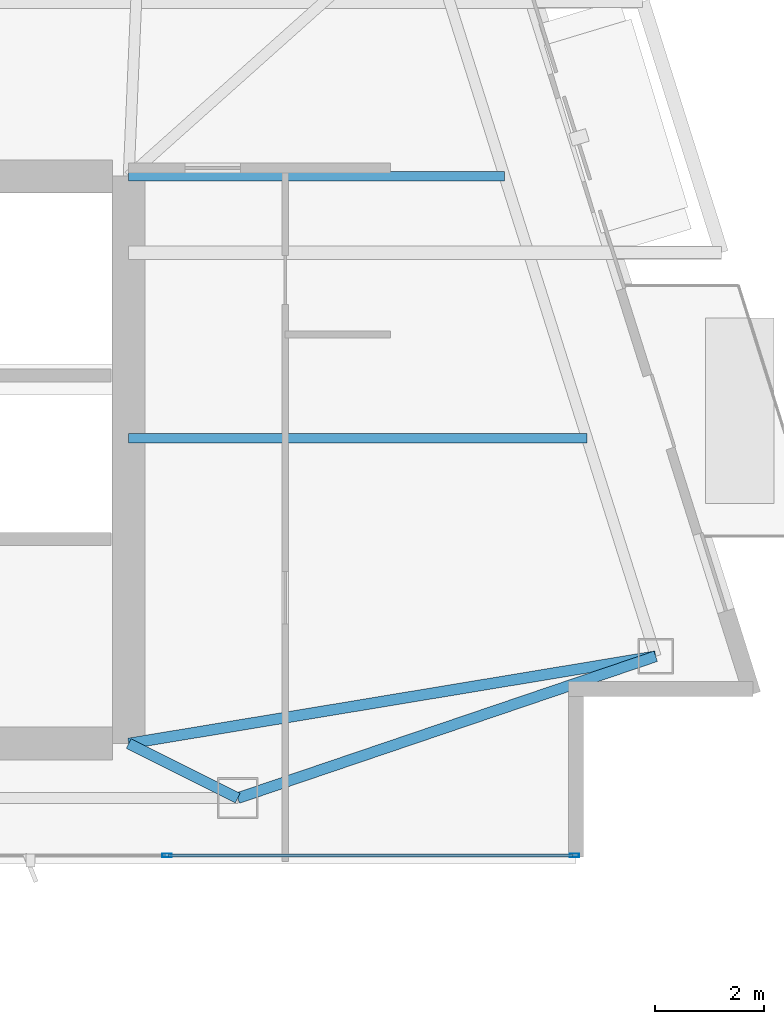
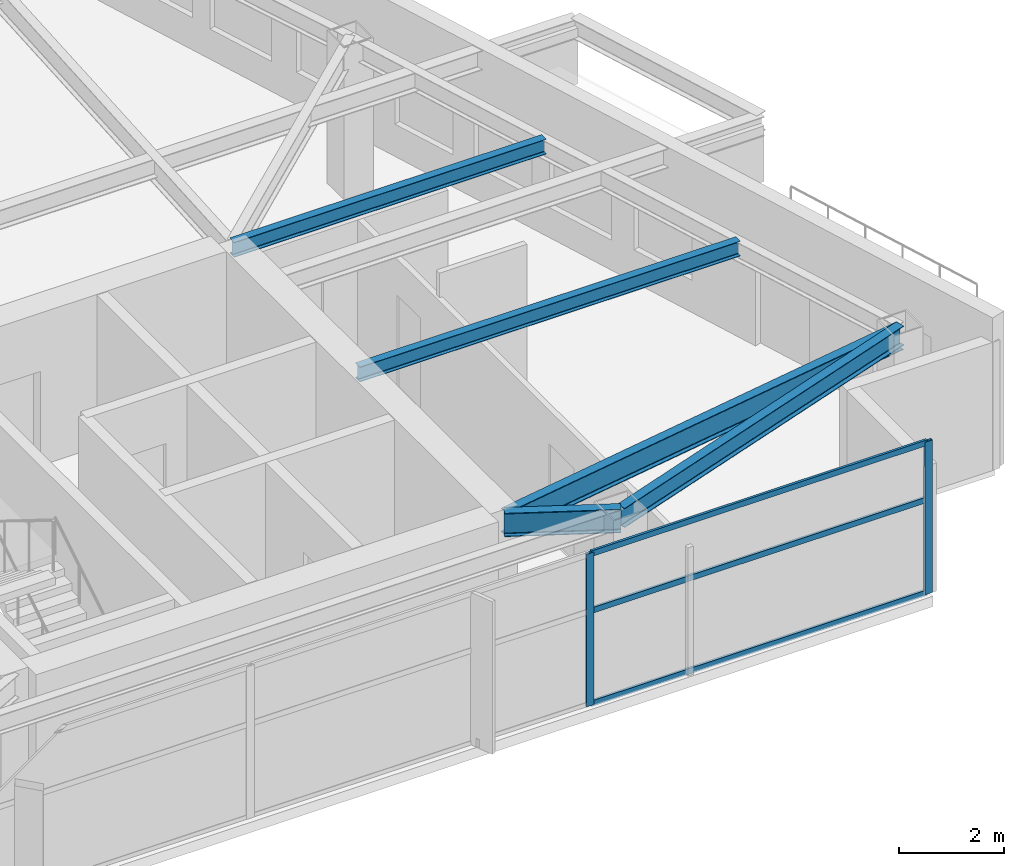
# One storey, part 14 of 28: 5 beams, 5 members, 1 element without a shape of its own.
"""IFC4 building model written with IfcOpenShell, lengths in metres."""

import ifcopenshell
import ifcopenshell.guid

model = None  # the IFC model being written
_history = None  # IfcOwnerHistory: only IFC2X3 demands one
_inside = {}  # id of a spatial element -> (the spatial element, [elements in it])
_under = {}  # id of a project, library or spatial element -> (it, [spatial elements below it])
_declared = {}  # id of a project -> (the project, [libraries it declares])
_typed = {}  # id of a type object -> (the type object, [elements of that type])
_made_of = {}  # id of a material, layer set ... -> (it, [elements and type objects made of it])


def new_model(schema):
    """Start an empty IFC model of exactly this schema.

    Asked for "IFC4X3", IfcOpenShell would pick the latest addendum, in which some entities
    have other attributes; the version numbers below select the first issue.
    IFC2X3 requires an IfcOwnerHistory on every rooted entity: one is made here for all.
    """
    global model, _history
    if schema == "IFC4X3":
        model = ifcopenshell.file(schema_version=(4, 3, 0, 0))
    else:
        model = ifcopenshell.file(schema=schema)
    _inside.clear()
    _under.clear()
    _declared.clear()
    _typed.clear()
    _made_of.clear()
    _history = None
    if model.schema == "IFC2X3":
        org = make("IfcOrganization", Name="unknown")
        user = make(
            "IfcPersonAndOrganization",
            ThePerson=make("IfcPerson", FamilyName="unknown"),
            TheOrganization=org,
        )
        app = make(
            "IfcApplication",
            ApplicationDeveloper=org,
            Version="unknown",
            ApplicationFullName="unknown",
            ApplicationIdentifier="unknown",
        )
        _history = make(
            "IfcOwnerHistory",
            OwningUser=user,
            OwningApplication=app,
            ChangeAction="ADDED",
            CreationDate=0,
        )
    return model


def make(cls, **values):
    """One entity of the class cls with the attributes given. An attribute that is None is left unset."""
    return model.create_entity(
        cls, **{name: value for name, value in values.items() if value is not None}
    )


def rooted(cls, **values):
    """An entity with a GlobalId (a new one), such as an element, a storey or a relation."""
    return make(cls, GlobalId=ifcopenshell.guid.new(), OwnerHistory=_history, **values)


def si_unit(unit_type, name, prefix=None):
    """IfcSIUnit, for example si_unit("LENGTHUNIT", "METRE", prefix="MILLI")."""
    return make("IfcSIUnit", UnitType=unit_type, Prefix=prefix, Name=name)


def assignment(units):
    """IfcUnitAssignment: the units of a project."""
    return None if units is None else make("IfcUnitAssignment", Units=units)


def point(xyz):
    """IfcCartesianPoint."""
    return None if xyz is None else make("IfcCartesianPoint", Coordinates=xyz)


def direction(xyz):
    """IfcDirection."""
    return None if xyz is None else make("IfcDirection", DirectionRatios=xyz)


def frame(location, z_axis=None, x_axis=None):
    """IfcAxis2Placement3D, a coordinate frame: its origin and axes. An axis left out is left unset."""
    return make(
        "IfcAxis2Placement3D",
        Location=point(location),
        Axis=direction(z_axis),
        RefDirection=direction(x_axis),
    )


def frame_2d(location, x_axis=None):
    """IfcAxis2Placement2D, a coordinate frame in the plane: its origin and x axis."""
    return make(
        "IfcAxis2Placement2D", Location=point(location), RefDirection=direction(x_axis)
    )


def origin():
    """The frame at (0, 0, 0) with its axes left unset."""
    return frame((0.0, 0.0, 0.0))


def origin_2d():
    """The frame at (0, 0) in the plane with its x axis left unset."""
    return frame_2d((0.0, 0.0))


def place(relative_to, where):
    """IfcLocalPlacement: puts the frame where relative to a parent placement (None: the world)."""
    return make(
        "IfcLocalPlacement", PlacementRelTo=relative_to, RelativePlacement=where
    )


def context(
    kind, dimensions, precision=None, world=None, true_north=None, identifier=None
):
    """IfcGeometricRepresentationContext, for example the 3D "Model" context."""
    return make(
        "IfcGeometricRepresentationContext",
        ContextIdentifier=identifier,
        ContextType=kind,
        CoordinateSpaceDimension=dimensions,
        Precision=precision,
        WorldCoordinateSystem=world,
        TrueNorth=true_north,
    )


def subcontext(parent, identifier, kind, view, scale=None):
    """IfcGeometricRepresentationSubContext, for example "Body" below "Model"."""
    return make(
        "IfcGeometricRepresentationSubContext",
        ContextIdentifier=identifier,
        ContextType=kind,
        ParentContext=parent,
        TargetScale=scale,
        TargetView=view,
    )


def project(units=None, contexts=None):
    """IfcProject with its units and contexts."""
    return rooted(
        "IfcProject",
        Name="project",
        RepresentationContexts=contexts,
        UnitsInContext=assignment(units),
    )


def spatial(cls, under=None, at=None, **own):
    """A site, building, storey or space (cls), placed at a placement, below another one or the project."""
    s = rooted(cls, ObjectPlacement=at, **own)
    if under is not None:
        _under.setdefault(under.id(), (under, []))[1].append(s)
    return s


def profile(cls, at=None, kind="AREA", **sizes):
    """A parametric profile (cls). Its sizes go by their IFC names, for example OverallWidth=200.0."""
    return make(cls, ProfileType=kind, Position=at, **sizes)


def hollow_rectangle(**sizes):
    """IfcRectangleHollowProfileDef."""
    return profile("IfcRectangleHollowProfileDef", **sizes)


def i_section(**sizes):
    """IfcIShapeProfileDef."""
    return profile("IfcIShapeProfileDef", **sizes)


def extrude(swept, where, along, depth):
    """IfcExtrudedAreaSolid: the profile swept, set in the frame where, extruded along a direction by depth."""
    return make(
        "IfcExtrudedAreaSolid",
        SweptArea=swept,
        Position=where,
        ExtrudedDirection=direction(along),
        Depth=depth,
    )


def shape(context_of_items, identifier, shape_type, items):
    """IfcShapeRepresentation: the items that make up one representation, for example the "Body"."""
    return make(
        "IfcShapeRepresentation",
        ContextOfItems=context_of_items,
        RepresentationIdentifier=identifier,
        RepresentationType=shape_type,
        Items=items,
    )


def material(Name=None, Category=None):
    """IfcMaterial."""
    return make("IfcMaterial", Name=Name, Category=Category)


def layer(
    of_material, thickness, ventilated=None, Name=None, Category=None, Priority=None
):
    """IfcMaterialLayer: one layer of a wall or slab, of a material (None: an air gap)."""
    return make(
        "IfcMaterialLayer",
        Material=of_material,
        LayerThickness=thickness,
        IsVentilated=ventilated,
        Name=Name,
        Category=Category,
        Priority=Priority,
    )


def layer_set(layers, Name=None):
    """IfcMaterialLayerSet."""
    return make("IfcMaterialLayerSet", MaterialLayers=layers, LayerSetName=Name)


def material_profile(
    of_material, cross_section, Name=None, Category=None, Priority=None
):
    """IfcMaterialProfile: a cross section and its material."""
    return make(
        "IfcMaterialProfile",
        Name=Name,
        Material=of_material,
        Profile=cross_section,
        Priority=Priority,
        Category=Category,
    )


def profile_set(profiles, Name=None, composite=None):
    """IfcMaterialProfileSet."""
    return make(
        "IfcMaterialProfileSet",
        Name=Name,
        MaterialProfiles=profiles,
        CompositeProfile=composite,
    )


def made_of(thing, what):
    """Note that an element or type object is made of a material, layer set ...; save() writes the relation."""
    if what is not None:
        _made_of.setdefault(what.id(), (what, []))[1].append(thing)
    return thing


def type_object(cls, material=None, **own):
    """A type object (cls), such as IfcWallType, which elements share."""
    return made_of(rooted(cls, **own), material)


def element(
    cls,
    number,
    at=None,
    inside=None,
    cuts=None,
    type_object=None,
    material=None,
    context=None,
    identifier="Body",
    shape_type=None,
    held_by="IfcProductDefinitionShape",
    body=None,
    shapes=None,
    **own,
):
    """One element of the class cls, such as IfcWall. Its Tag is "e" and its number.

    at: its placement. inside: the storey or other place that contains it. cuts: it is an
    opening in that element (IfcRelVoidsElement). A single representation is given by context,
    identifier, shape_type and body (its items); several are given by shapes. held_by: the class
    of the entity that holds the representations. save() writes the other relations.
    """
    e = rooted(cls, Tag="e%d" % number, ObjectPlacement=at, **own)
    if body is not None:
        shapes = [shape(context, identifier, shape_type, body)]
    if shapes is not None:
        e.Representation = make(held_by, Representations=shapes)
    if inside is not None:
        _inside.setdefault(inside.id(), (inside, []))[1].append(e)
    if cuts is not None:
        rooted(
            "IfcRelVoidsElement", RelatingBuildingElement=cuts, RelatedOpeningElement=e
        )
    if type_object is not None:
        _typed.setdefault(type_object.id(), (type_object, []))[1].append(e)
    return made_of(e, material)


def aggregate(whole, parts):
    """IfcRelAggregates: a whole, such as a stair, and the parts it consists of."""
    return rooted("IfcRelAggregates", RelatingObject=whole, RelatedObjects=parts)


def save(model, path):
    """Write the relations noted so far, then the file.

    IfcRelAggregates (storeys below a building ...), IfcRelContainedInSpatialStructure (elements
    in a storey), IfcRelDefinesByType, IfcRelAssociatesMaterial and IfcRelDeclares: one each for
    every whole, place, type object, material and project.
    """
    for whole, parts in _under.values():
        aggregate(whole, parts)
    for where, things in _inside.values():
        rooted(
            "IfcRelContainedInSpatialStructure",
            RelatedElements=things,
            RelatingStructure=where,
        )
    for kind, things in _typed.values():
        rooted("IfcRelDefinesByType", RelatedObjects=things, RelatingType=kind)
    for what, things in _made_of.values():
        rooted("IfcRelAssociatesMaterial", RelatedObjects=things, RelatingMaterial=what)
    for by, libraries in _declared.values():
        rooted("IfcRelDeclares", RelatingContext=by, RelatedDefinitions=libraries)
    model.write(path)


model = new_model("IFC4")

# Units and contexts
model_context = context("Model", 3, precision=1e-05, world=origin(), true_north=direction((0.0, 1.0)))
body_context = subcontext(model_context, "Body", "Model", "MODEL_VIEW")
ifc_project = project(units=[si_unit("LENGTHUNIT", "METRE"), si_unit("AREAUNIT", "SQUARE_METRE"), si_unit("VOLUMEUNIT", "CUBIC_METRE"), si_unit("PLANEANGLEUNIT", "RADIAN"), si_unit("MASSUNIT", "GRAM", prefix="KILO")], contexts=[model_context])

# Site, building, storey
site_placement = place(None, origin())
site = spatial("IfcSite", under=ifc_project, at=site_placement, CompositionType="ELEMENT")
building_placement = place(site_placement, origin())
building = spatial("IfcBuilding", under=site, at=building_placement, Name="Calvorn Quay Hotel", CompositionType="ELEMENT")
storey_placement = place(building_placement, frame((0.0, 0.0, 267.300048828125)))
storey = spatial("IfcBuildingStorey", under=building, at=storey_placement, Name="L66", CompositionType="ELEMENT", Elevation=267.300048828125)

# Beams
ifc_material_1 = material(Name="Steel Q355B", Category="steel")
ifc_material_profile_1 = material_profile(ifc_material_1, i_section(OverallWidth=0.199951171875, OverallDepth=0.550048828125, WebThickness=0.010009765625, FlangeThickness=0.01611328125, FilletRadius=0.01806640625, at=origin_2d()), Name="HN550x200x10x16")
ifc_profile_set_1 = profile_set([ifc_material_profile_1], Name="Steel Q355B")
beam_type_1 = type_object("IfcBeamType", Name="BM-GIRD-UPP", PredefinedType="BEAM", material=ifc_profile_set_1)
beam_1_placement = place(storey_placement, frame((34.39990234375, 3.60009765625, 3.264892578125), z_axis=(-0.894427191, 0.4472135955, 0.0), x_axis=(-0.4472135955, -0.894427191, 0.0)))
element("IfcBeam", 1, at=beam_1_placement, inside=storey, type_object=beam_type_1, Name="Beam BG-L66-S3", PredefinedType="BEAM", context=body_context, shape_type="SweptSolid", body=[
    extrude(i_section(OverallWidth=0.199951171875, OverallDepth=0.550048828125, WebThickness=0.010009765625, FlangeThickness=0.01611328125, FilletRadius=0.01806640625, at=origin_2d()), origin(), (0.0, 0.0, 1.0), 2.236083984375),
])
beam_2_placement = place(storey_placement, frame((32.39990234375, 4.60009765625, 3.264892578125), z_axis=(0.986564536395, 0.163372015743, 0.0), x_axis=(-0.163372015743, 0.986564536395, 0.0)))
element("IfcBeam", 2, at=beam_2_placement, inside=storey, type_object=beam_type_1, Name="Beam BG-L66-E1", PredefinedType="BEAM", context=body_context, shape_type="SweptSolid", body=[
    extrude(i_section(OverallWidth=0.199951171875, OverallDepth=0.550048828125, WebThickness=0.010009765625, FlangeThickness=0.01611328125, FilletRadius=0.01806640625, at=origin_2d()), origin(), (0.0, 0.0, 1.0), 9.792724609375),
])
ifc_material_2 = material(Name="Steel Q355B", Category="steel")
ifc_material_profile_2 = material_profile(ifc_material_2, i_section(OverallWidth=0.175048828125, OverallDepth=0.35009765625, WebThickness=0.007080078125, FlangeThickness=0.010986328125, FilletRadius=0.013916015625, at=origin_2d()), Name="HN350x175x7x11")
ifc_profile_set_2 = profile_set([ifc_material_profile_2], Name="Steel Q355B")
beam_type_2 = type_object("IfcBeamType", Name="BM-JOIST-SEC", PredefinedType="JOIST", material=ifc_profile_set_2)
beam_3_placement = place(storey_placement, frame((32.39990234375, 10.199951171875, 3.364990234375), z_axis=(1.0, 0.0, 0.0), x_axis=(0.0, 1.0, 0.0)))
element("IfcBeam", 3, at=beam_3_placement, inside=storey, type_object=beam_type_2, Name="Beam BJ-L66-E1", PredefinedType="JOIST", context=body_context, shape_type="SweptSolid", body=[
    extrude(i_section(OverallWidth=0.175048828125, OverallDepth=0.35009765625, WebThickness=0.007080078125, FlangeThickness=0.010986328125, FilletRadius=0.013916015625, at=origin_2d()), origin(), (0.0, 0.0, 1.0), 8.401123046875),
])
beam_4_placement = place(storey_placement, frame((32.39990234375, 15.0, 3.364990234375), z_axis=(1.0, 0.0, 0.0), x_axis=(0.0, 1.0, 0.0)))
element("IfcBeam", 4, at=beam_4_placement, inside=storey, type_object=beam_type_2, Name="Beam BJ-L66-E2", PredefinedType="JOIST", context=body_context, shape_type="SweptSolid", body=[
    extrude(i_section(OverallWidth=0.175048828125, OverallDepth=0.35009765625, WebThickness=0.007080078125, FlangeThickness=0.010986328125, FilletRadius=0.013916015625, at=origin_2d()), origin(), (0.0, 0.0, 1.0), 6.88818359375),
])
ifc_material_3 = material(Name="Steel Q355B", Category="steel")
ifc_material_profile_3 = material_profile(ifc_material_3, i_section(OverallWidth=0.199951171875, OverallDepth=0.449951171875, WebThickness=0.009033203125, FlangeThickness=0.013916015625, FilletRadius=0.01611328125, at=origin_2d()), Name="HN450x200x9x14")
ifc_profile_set_3 = profile_set([ifc_material_profile_3], Name="Steel Q355B")
beam_type_3 = type_object("IfcBeamType", Name="BM-SPANDREL-Z3", PredefinedType="SPANDREL", material=ifc_profile_set_3)
beam_5_placement = place(storey_placement, frame((34.39990234375, 3.60009765625, 3.31494140625), z_axis=(0.946958367473, 0.321356266897, 0.0), x_axis=(-0.321356266897, 0.946958367473, 0.0)))
element("IfcBeam", 5, at=beam_5_placement, inside=storey, type_object=beam_type_3, Name="Beam BSP-L66-S4", PredefinedType="SPANDREL", context=body_context, shape_type="SweptSolid", body=[
    extrude(i_section(OverallWidth=0.199951171875, OverallDepth=0.449951171875, WebThickness=0.009033203125, FlangeThickness=0.013916015625, FilletRadius=0.01611328125, at=origin_2d()), origin(), (0.0, 0.0, 1.0), 8.09033203125),
])

# Curtain wall, members
ifc_material_4 = material(Name="Champagne Bronze Anodised Aluminium and Low-E Glass", Category="aluminium")
ifc_layer = layer(ifc_material_4, 0.219970703125)
ifc_layer_set = layer_set([ifc_layer], Name="CW-SYS-Z4")
curtain_wall_type = type_object("IfcCurtainWallType", Name="CW-SYS-Z4", PredefinedType="NOTDEFINED", material=ifc_layer_set)
curtain_wall_placement = place(storey_placement, origin())
curtain_wall = element("IfcCurtainWall", 6, at=curtain_wall_placement, inside=storey, type_object=curtain_wall_type, Name="Tower South Waterfront Curtain Wall (L66)", PredefinedType="NOTDEFINED")
ifc_material_5 = material(Name="Champagne Bronze Anodised Aluminium 6063-T6", Category="aluminium")
ifc_material_profile_4 = material_profile(ifc_material_5, hollow_rectangle(XDim=0.06494140625, YDim=0.169921875, WallThickness=0.00341796875, at=origin_2d()), Name="ALU-M170x65x3.5")
ifc_profile_set_4 = profile_set([ifc_material_profile_4], Name="Champagne Bronze Anodised Aluminium 6063-T6")
member_type_1 = type_object("IfcMemberType", Name="CW-SYS-Z4-MUL", PredefinedType="MULLION", material=ifc_profile_set_4)
member_1_placement = place(storey_placement, frame((33.10009765625, 2.550048828125, 0.0), z_axis=(0.0, 0.0, 1.0), x_axis=(0.0, 1.0, 0.0)))
member_1 = element("IfcMember", 7, at=member_1_placement, type_object=member_type_1, Name="CW-L66-S mullion 4", PredefinedType="MULLION", context=body_context, shape_type="SweptSolid", body=[
    extrude(hollow_rectangle(XDim=0.06494140625, YDim=0.169921875, WallThickness=0.00341796875, at=origin_2d()), origin(), (0.0, 0.0, 1.0), 3.56005859375),
])
member_2_placement = place(storey_placement, frame((40.570068359375, 2.550048828125, 0.0), z_axis=(0.0, 0.0, 1.0), x_axis=(0.0, 1.0, 0.0)))
member_2 = element("IfcMember", 8, at=member_2_placement, type_object=member_type_1, Name="CW-L66-S mullion 5", PredefinedType="MULLION", context=body_context, shape_type="SweptSolid", body=[
    extrude(hollow_rectangle(XDim=0.06494140625, YDim=0.169921875, WallThickness=0.00341796875, at=origin_2d()), origin(), (0.0, 0.0, 1.0), 3.56005859375),
])
ifc_material_6 = material(Name="Champagne Bronze Anodised Aluminium 6063-T6", Category="aluminium")
ifc_material_profile_5 = material_profile(ifc_material_6, hollow_rectangle(XDim=0.054931640625, YDim=0.1298828125, WallThickness=0.003173828125, at=origin_2d()), Name="ALU-T130x55x3.2")
ifc_profile_set_5 = profile_set([ifc_material_profile_5], Name="Champagne Bronze Anodised Aluminium 6063-T6")
member_type_2 = type_object("IfcMemberType", Name="CW-SYS-Z4-TRN", PredefinedType="USERDEFINED", material=ifc_profile_set_5)
member_3_placement = place(storey_placement, frame((33.1298828125, 2.550048828125, 0.030029296875), z_axis=(1.0, 0.0, 0.0), x_axis=(0.0, 1.0, 0.0)))
member_3 = element("IfcMember", 9, at=member_3_placement, type_object=member_type_2, Name="CW-L66-S transom 4.1", ObjectType="TRANSOM", PredefinedType="USERDEFINED", context=body_context, shape_type="SweptSolid", body=[
    extrude(hollow_rectangle(XDim=0.054931640625, YDim=0.1298828125, WallThickness=0.003173828125, at=origin_2d()), origin(), (0.0, 0.0, 1.0), 7.41015625),
])
member_4_placement = place(storey_placement, frame((33.1298828125, 2.550048828125, 2.199951171875), z_axis=(1.0, 0.0, 0.0), x_axis=(0.0, 1.0, 0.0)))
member_4 = element("IfcMember", 10, at=member_4_placement, type_object=member_type_2, Name="CW-L66-S transom 4.2", ObjectType="TRANSOM", PredefinedType="USERDEFINED", context=body_context, shape_type="SweptSolid", body=[
    extrude(hollow_rectangle(XDim=0.054931640625, YDim=0.1298828125, WallThickness=0.003173828125, at=origin_2d()), origin(), (0.0, 0.0, 1.0), 7.41015625),
])
member_5_placement = place(storey_placement, frame((33.1298828125, 2.550048828125, 3.530029296875), z_axis=(1.0, 0.0, 0.0), x_axis=(0.0, 1.0, 0.0)))
member_5 = element("IfcMember", 11, at=member_5_placement, type_object=member_type_2, Name="CW-L66-S transom 4.3", ObjectType="TRANSOM", PredefinedType="USERDEFINED", context=body_context, shape_type="SweptSolid", body=[
    extrude(hollow_rectangle(XDim=0.054931640625, YDim=0.1298828125, WallThickness=0.003173828125, at=origin_2d()), origin(), (0.0, 0.0, 1.0), 7.41015625),
])
aggregate(curtain_wall, [member_1, member_2, member_3, member_4, member_5])

save(model, "model.ifc")
